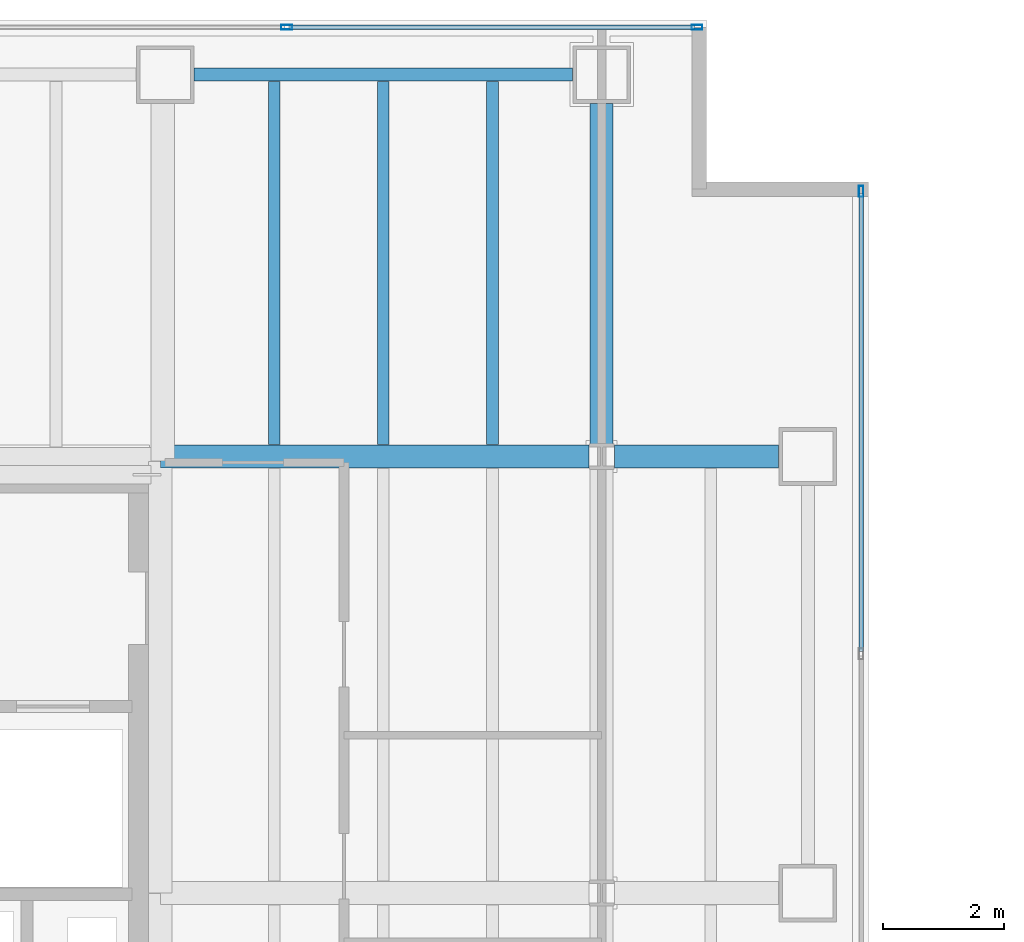
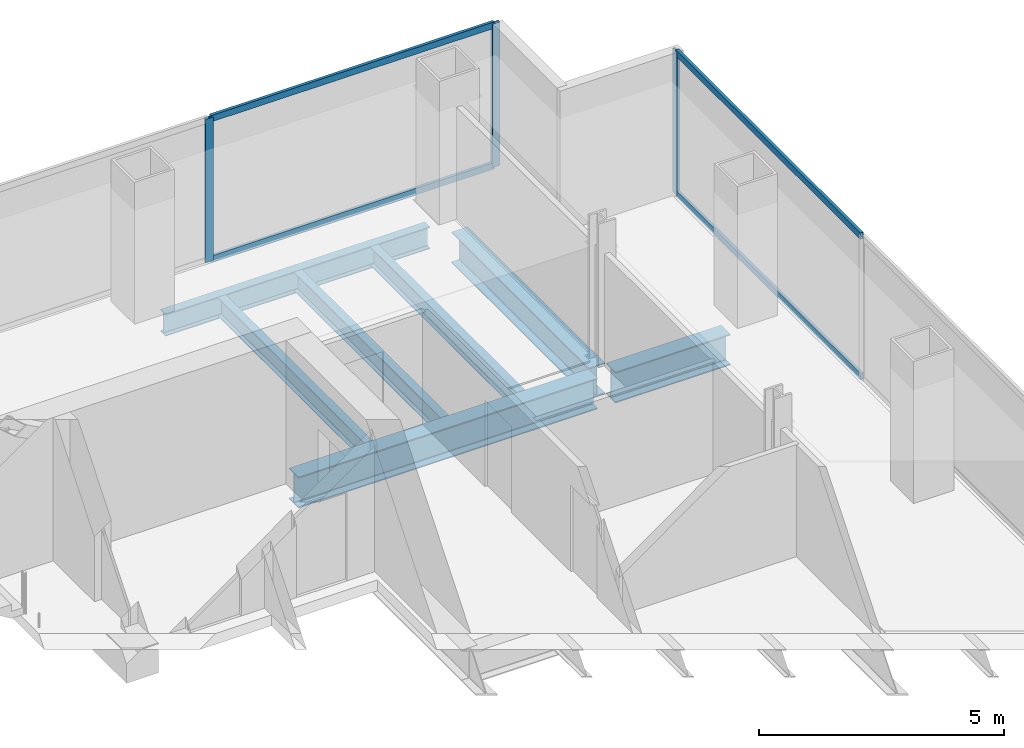
# One storey, part 18 of 23: 7 beams, 7 members, 2 elements without a shape of their own.
"""IFC4 building model written with IfcOpenShell, lengths in metres."""

from ifc_helpers import new_model, si_unit, direction, frame, origin, origin_2d, place, context, subcontext, project, spatial, hollow_rectangle, i_section, extrude, material, material_profile, profile_set, type_object, element, aggregate, save


model = new_model("IFC4")

# Units and contexts
model_context = context("Model", 3, precision=1e-05, world=origin(), true_north=direction((0.0, 1.0)))
body_context = subcontext(model_context, "Body", "Model", "MODEL_VIEW")
ifc_project = project(units=[si_unit("LENGTHUNIT", "METRE"), si_unit("AREAUNIT", "SQUARE_METRE"), si_unit("VOLUMEUNIT", "CUBIC_METRE"), si_unit("PLANEANGLEUNIT", "RADIAN"), si_unit("MASSUNIT", "GRAM", prefix="KILO")], contexts=[model_context])

# Site, building, storey
site_placement = place(None, origin())
site = spatial("IfcSite", under=ifc_project, at=site_placement, CompositionType="ELEMENT")
building_placement = place(site_placement, origin())
building = spatial("IfcBuilding", under=site, at=building_placement, Name="Cobrela Telecom Tower", CompositionType="ELEMENT")
storey_placement = place(building_placement, frame((0.0, 0.0, 102.199951171875)))
storey = spatial("IfcBuildingStorey", under=building, at=storey_placement, Name="L25", CompositionType="ELEMENT", Elevation=102.199951171875)

# Beams
ifc_material_1 = material(Name="Steel ASTM A992 Grade 50", Category="steel")
ifc_material_profile_1 = material_profile(ifc_material_1, i_section(OverallWidth=0.381103515625, OverallDepth=0.77197265625, WebThickness=0.0166015625, FlangeThickness=0.027099609375, FilletRadius=0.01904296875, at=origin_2d()), Name="W30X173")
ifc_profile_set_1 = profile_set([ifc_material_profile_1], Name="Steel ASTM A992 Grade 50")
beam_type_1 = type_object("IfcBeamType", Name="BM-GIRD-04", PredefinedType="USERDEFINED", material=ifc_profile_set_1)
beam_1_placement = place(storey_placement, frame((14.324951171875, 36.0, -0.656005859375), z_axis=(1.0, 0.0, 0.0), x_axis=(0.0, 1.0, 0.0)))
element("IfcBeam", 1, at=beam_1_placement, inside=storey, type_object=beam_type_1, Name="L25 Primary Girder X27", ObjectType="GIRDER", PredefinedType="USERDEFINED", context=body_context, shape_type="SweptSolid", body=[
    extrude(i_section(OverallWidth=0.381103515625, OverallDepth=0.77197265625, WebThickness=0.0166015625, FlangeThickness=0.027099609375, FilletRadius=0.01904296875, at=origin_2d()), origin(), (0.0, 0.0, 1.0), 7.0654296875),
])
beam_2_placement = place(storey_placement, frame((21.8095703125, 36.0, -0.656005859375), z_axis=(1.0, 0.0, 0.0), x_axis=(0.0, 1.0, 0.0)))
element("IfcBeam", 2, at=beam_2_placement, inside=storey, type_object=beam_type_1, Name="L25 Primary Girder X28", ObjectType="GIRDER", PredefinedType="USERDEFINED", context=body_context, shape_type="SweptSolid", body=[
    extrude(i_section(OverallWidth=0.381103515625, OverallDepth=0.77197265625, WebThickness=0.0166015625, FlangeThickness=0.027099609375, FilletRadius=0.01904296875, at=origin_2d()), origin(), (0.0, 0.0, 1.0), 2.71044921875),
])
beam_3_placement = place(storey_placement, frame((21.60009765625, 36.20947265625, -0.656005859375), z_axis=(0.0, 1.0, 0.0), x_axis=(-1.0, 0.0, 0.0)))
element("IfcBeam", 3, at=beam_3_placement, inside=storey, type_object=beam_type_1, Name="L25 Primary Girder Y44", ObjectType="GIRDER", PredefinedType="USERDEFINED", context=body_context, shape_type="SweptSolid", body=[
    extrude(i_section(OverallWidth=0.381103515625, OverallDepth=0.77197265625, WebThickness=0.0166015625, FlangeThickness=0.027099609375, FilletRadius=0.01904296875, at=origin_2d()), origin(), (0.0, 0.0, 1.0), 5.610595703125),
])
ifc_material_profile_2 = material_profile(ifc_material_1, i_section(OverallWidth=0.193115234375, OverallDepth=0.467041015625, WebThickness=0.011474609375, FlangeThickness=0.01904296875, FilletRadius=0.012939453125, at=origin_2d()), Name="W18X65")
ifc_profile_set_2 = profile_set([ifc_material_profile_2], Name="Steel ASTM A992 Grade 50")
beam_type_2 = type_object("IfcBeamType", Name="BM-JOIST-03", PredefinedType="JOIST", material=ifc_profile_set_2)
for number, where, z_axis, x_axis, name in (
    (4, (16.199951171875, 36.195556640625, -0.50341796875), (0.0, 1.0, 0.0), (-1.0, 0.0, 0.0), "L25 Secondary Composite Floor Beam J08"),
    (5, (18.0, 36.195556640625, -0.50341796875), (0.0, 1.0, 0.0), (-1.0, 0.0, 0.0), "L25 Secondary Composite Floor Beam J13"),
    (6, (19.800048828125, 36.195556640625, -0.50341796875), (0.0, 1.0, 0.0), (-1.0, 0.0, 0.0), "L25 Secondary Composite Floor Beam J18"),
):
    element("IfcBeam", number, at=place(storey_placement, frame(where, z_axis=z_axis, x_axis=x_axis)), inside=storey, type_object=beam_type_2, Name=name, PredefinedType="JOIST", context=body_context, shape_type="SweptSolid", body=[
        extrude(i_section(OverallWidth=0.193115234375, OverallDepth=0.467041015625, WebThickness=0.011474609375, FlangeThickness=0.01904296875, FilletRadius=0.012939453125, at=origin_2d()), origin(), (0.0, 0.0, 1.0), 5.992919921875),
    ])
ifc_material_profile_3 = material_profile(ifc_material_1, i_section(OverallWidth=0.212890625, OverallDepth=0.549072265625, WebThickness=0.0146484375, FlangeThickness=0.023681640625, FilletRadius=0.013916015625, at=origin_2d()), Name="W21X93")
ifc_profile_set_3 = profile_set([ifc_material_profile_3], Name="Steel ASTM A992 Grade 50")
beam_type_3 = type_object("IfcBeamType", Name="BM-SPAND-03", PredefinedType="SPANDREL", material=ifc_profile_set_3)
beam_4_placement = place(storey_placement, frame((14.8798828125, 42.300048828125, -0.54443359375), z_axis=(1.0, 0.0, 0.0), x_axis=(0.0, 1.0, 0.0)))
element("IfcBeam", 7, at=beam_4_placement, inside=storey, type_object=beam_type_3, Name="L25 Perimeter Spandrel X30", PredefinedType="SPANDREL", context=body_context, shape_type="SweptSolid", body=[
    extrude(i_section(OverallWidth=0.212890625, OverallDepth=0.549072265625, WebThickness=0.0146484375, FlangeThickness=0.023681640625, FilletRadius=0.013916015625, at=origin_2d()), origin(), (0.0, 0.0, 1.0), 6.240234375),
])

# Curtain wall, members
ifc_material_2 = material(Name="Anodized Bronze Aluminium 6063-T6", Category="aluminium")
curtain_wall_type = type_object("IfcCurtainWallType", Name="CW-SYS-TEL", PredefinedType="USERDEFINED", material=ifc_material_2)
curtain_wall_1_placement = place(storey_placement, origin())
curtain_wall_1 = element("IfcCurtainWall", 8, at=curtain_wall_1_placement, inside=storey, type_object=curtain_wall_type, Name="L25 Unitised Bronze Curtain Wall 07", ObjectType="UNITISED CURTAIN WALL", PredefinedType="USERDEFINED")
ifc_material_profile_4 = material_profile(ifc_material_2, hollow_rectangle(XDim=0.074951171875, YDim=0.179931640625, WallThickness=0.00390625, at=origin_2d()), Name="ALU 75x180x4")
ifc_profile_set_4 = profile_set([ifc_material_profile_4], Name="Anodized Bronze Aluminium 6063-T6")
member_type_1 = type_object("IfcMemberType", Name="CW-SYS-TEL-MUL", PredefinedType="MULLION", material=ifc_profile_set_4)
member_1_placement = place(storey_placement, frame((16.4033203125, 43.080078125, 0.0), z_axis=(0.0, 0.0, 1.0), x_axis=(0.0, 1.0, 0.0)))
member_1 = element("IfcMember", 9, at=member_1_placement, type_object=member_type_1, Name="CW-TEL mullion 3", PredefinedType="MULLION", context=body_context, shape_type="SweptSolid", body=[
    extrude(hollow_rectangle(XDim=0.074951171875, YDim=0.179931640625, WallThickness=0.00390625, at=origin_2d()), origin(), (0.0, 0.0, 1.0), 3.580078125),
])
member_2_placement = place(storey_placement, frame((23.172607421875, 43.080078125, 0.0), z_axis=(0.0, 0.0, 1.0), x_axis=(0.0, 1.0, 0.0)))
member_2 = element("IfcMember", 10, at=member_2_placement, type_object=member_type_1, Name="CW-TEL mullion 4", PredefinedType="MULLION", context=body_context, shape_type="SweptSolid", body=[
    extrude(hollow_rectangle(XDim=0.074951171875, YDim=0.179931640625, WallThickness=0.00390625, at=origin_2d()), origin(), (0.0, 0.0, 1.0), 3.580078125),
])

# Curtain wall, member
curtain_wall_2_placement = place(storey_placement, origin())
curtain_wall_2 = element("IfcCurtainWall", 11, at=curtain_wall_2_placement, inside=storey, type_object=curtain_wall_type, Name="L25 Unitised Bronze Curtain Wall 10", ObjectType="UNITISED CURTAIN WALL", PredefinedType="USERDEFINED")
member_3_placement = place(storey_placement, frame((25.8798828125, 40.37255859375, 0.0), z_axis=(0.0, 0.0, 1.0), x_axis=(1.0, 0.0, 0.0)))
member_3 = element("IfcMember", 12, at=member_3_placement, type_object=member_type_1, Name="CW-TEL mullion 1", PredefinedType="MULLION", context=body_context, shape_type="SweptSolid", body=[
    extrude(hollow_rectangle(XDim=0.074951171875, YDim=0.179931640625, WallThickness=0.00390625, at=origin_2d()), origin(), (0.0, 0.0, 1.0), 3.580078125),
])

# Member
ifc_material_profile_5 = material_profile(ifc_material_2, hollow_rectangle(XDim=0.070068359375, YDim=0.159912109375, WallThickness=0.00390625, at=origin_2d()), Name="ALU 70x160x4")
ifc_profile_set_5 = profile_set([ifc_material_profile_5], Name="Anodized Bronze Aluminium 6063-T6")
member_type_2 = type_object("IfcMemberType", Name="CW-SYS-TEL-TRN", PredefinedType="USERDEFINED", material=ifc_profile_set_5)
member_4_placement = place(storey_placement, frame((16.44091796875, 43.080078125, 0.03515625), z_axis=(1.0, 0.0, 0.0), x_axis=(0.0, 1.0, 0.0)))
member_4 = element("IfcMember", 13, at=member_4_placement, type_object=member_type_2, Name="CW-TEL transom 3.1", ObjectType="TRANSOM", PredefinedType="USERDEFINED", context=body_context, shape_type="SweptSolid", body=[
    extrude(hollow_rectangle(XDim=0.070068359375, YDim=0.159912109375, WallThickness=0.00390625, at=origin_2d()), origin(), (0.0, 0.0, 1.0), 6.694091796875),
])

member_5_placement = place(storey_placement, frame((16.44091796875, 43.080078125, 3.545166015625), z_axis=(1.0, 0.0, 0.0), x_axis=(0.0, 1.0, 0.0)))
member_5 = element("IfcMember", 14, at=member_5_placement, type_object=member_type_2, Name="CW-TEL transom 3.2", ObjectType="TRANSOM", PredefinedType="USERDEFINED", context=body_context, shape_type="SweptSolid", body=[
    extrude(hollow_rectangle(XDim=0.070068359375, YDim=0.159912109375, WallThickness=0.00390625, at=origin_2d()), origin(), (0.0, 0.0, 1.0), 6.694091796875),
])

aggregate(curtain_wall_1, [member_1, member_2, member_4, member_5])

member_6_placement = place(storey_placement, frame((25.8798828125, 40.3349609375, 0.03515625), z_axis=(0.0, -1.0, 0.0), x_axis=(1.0, 0.0, 0.0)))
member_6 = element("IfcMember", 15, at=member_6_placement, type_object=member_type_2, Name="CW-TEL transom 1.1", ObjectType="TRANSOM", PredefinedType="USERDEFINED", context=body_context, shape_type="SweptSolid", body=[
    extrude(hollow_rectangle(XDim=0.070068359375, YDim=0.159912109375, WallThickness=0.00390625, at=origin_2d()), origin(), (0.0, 0.0, 1.0), 7.552490234375),
])

member_7_placement = place(storey_placement, frame((25.8798828125, 40.3349609375, 3.545166015625), z_axis=(0.0, -1.0, 0.0), x_axis=(1.0, 0.0, 0.0)))
member_7 = element("IfcMember", 16, at=member_7_placement, type_object=member_type_2, Name="CW-TEL transom 1.2", ObjectType="TRANSOM", PredefinedType="USERDEFINED", context=body_context, shape_type="SweptSolid", body=[
    extrude(hollow_rectangle(XDim=0.070068359375, YDim=0.159912109375, WallThickness=0.00390625, at=origin_2d()), origin(), (0.0, 0.0, 1.0), 7.552490234375),
])

aggregate(curtain_wall_2, [member_3, member_6, member_7])

save(model, "model.ifc")
